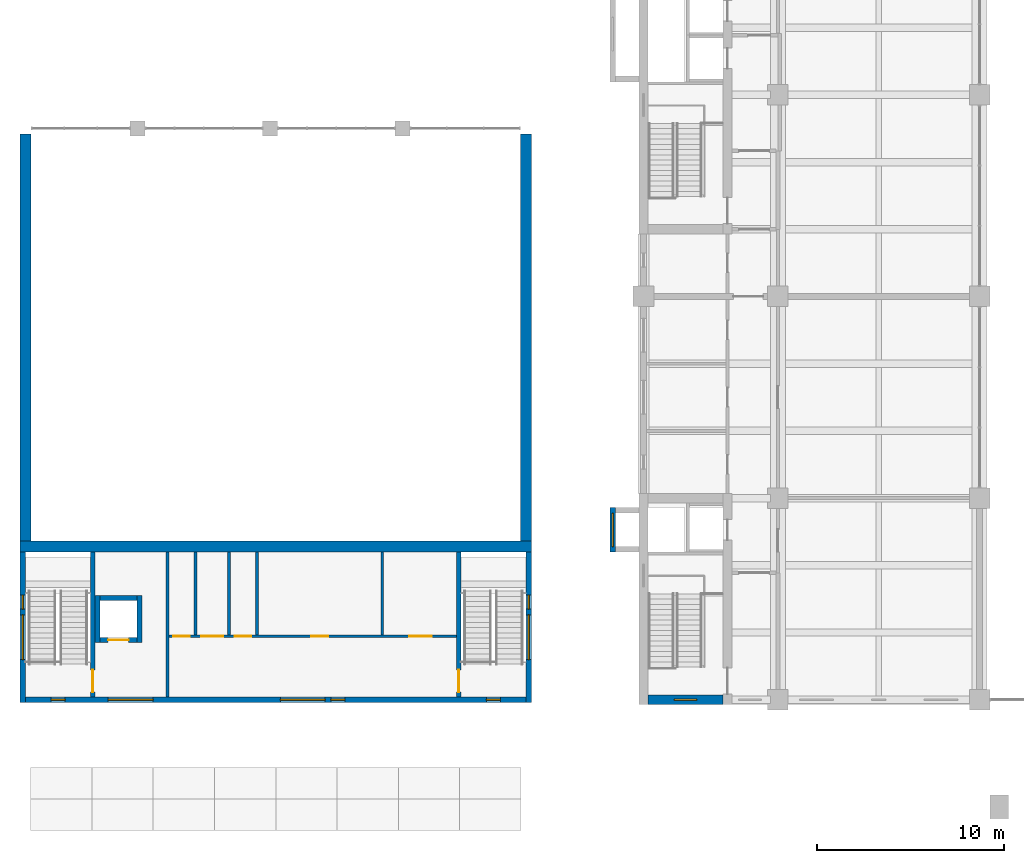
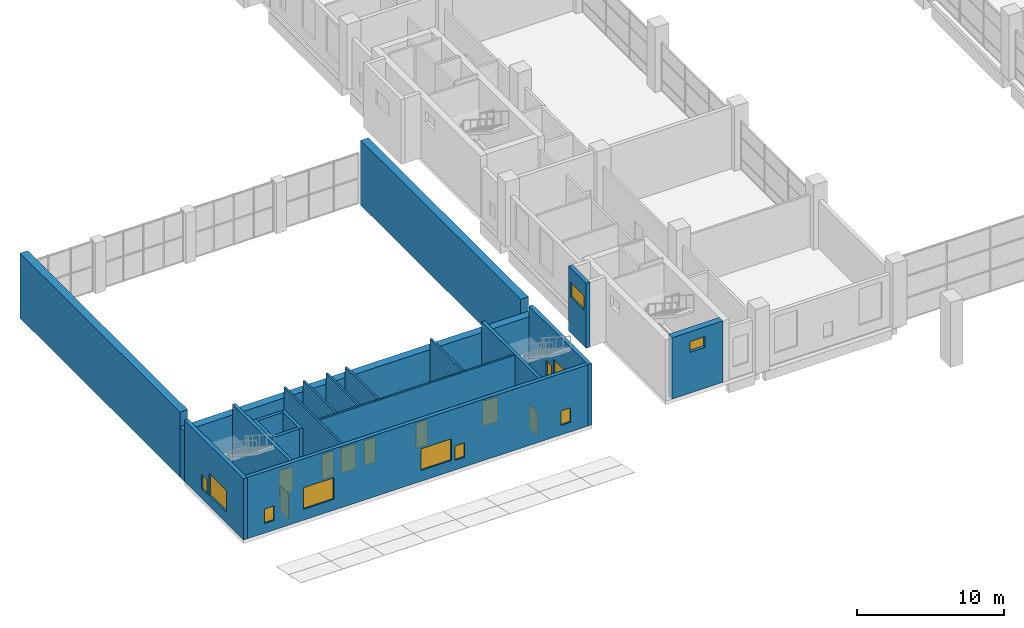
# One storey, part 17 of 33: 20 walls, 11 windows, 8 doors, 19 openings.
"""IFC4 building model written with IfcOpenShell, lengths in metres."""

import ifcopenshell
import ifcopenshell.guid

model = None  # the IFC model being written
_history = None  # IfcOwnerHistory: only IFC2X3 demands one
_inside = {}  # id of a spatial element -> (the spatial element, [elements in it])
_under = {}  # id of a project, library or spatial element -> (it, [spatial elements below it])
_declared = {}  # id of a project -> (the project, [libraries it declares])
_typed = {}  # id of a type object -> (the type object, [elements of that type])
_made_of = {}  # id of a material, layer set ... -> (it, [elements and type objects made of it])


def new_model(schema):
    """Start an empty IFC model of exactly this schema.

    Asked for "IFC4X3", IfcOpenShell would pick the latest addendum, in which some entities
    have other attributes; the version numbers below select the first issue.
    IFC2X3 requires an IfcOwnerHistory on every rooted entity: one is made here for all.
    """
    global model, _history
    if schema == "IFC4X3":
        model = ifcopenshell.file(schema_version=(4, 3, 0, 0))
    else:
        model = ifcopenshell.file(schema=schema)
    _inside.clear()
    _under.clear()
    _declared.clear()
    _typed.clear()
    _made_of.clear()
    _history = None
    if model.schema == "IFC2X3":
        org = make("IfcOrganization", Name="unknown")
        user = make(
            "IfcPersonAndOrganization",
            ThePerson=make("IfcPerson", FamilyName="unknown"),
            TheOrganization=org,
        )
        app = make(
            "IfcApplication",
            ApplicationDeveloper=org,
            Version="unknown",
            ApplicationFullName="unknown",
            ApplicationIdentifier="unknown",
        )
        _history = make(
            "IfcOwnerHistory",
            OwningUser=user,
            OwningApplication=app,
            ChangeAction="ADDED",
            CreationDate=0,
        )
    return model


def make(cls, **values):
    """One entity of the class cls with the attributes given. An attribute that is None is left unset."""
    return model.create_entity(
        cls, **{name: value for name, value in values.items() if value is not None}
    )


def rooted(cls, **values):
    """An entity with a GlobalId (a new one), such as an element, a storey or a relation."""
    return make(cls, GlobalId=ifcopenshell.guid.new(), OwnerHistory=_history, **values)


def si_unit(unit_type, name, prefix=None):
    """IfcSIUnit, for example si_unit("LENGTHUNIT", "METRE", prefix="MILLI")."""
    return make("IfcSIUnit", UnitType=unit_type, Prefix=prefix, Name=name)


def assignment(units):
    """IfcUnitAssignment: the units of a project."""
    return None if units is None else make("IfcUnitAssignment", Units=units)


def point(xyz):
    """IfcCartesianPoint."""
    return None if xyz is None else make("IfcCartesianPoint", Coordinates=xyz)


def direction(xyz):
    """IfcDirection."""
    return None if xyz is None else make("IfcDirection", DirectionRatios=xyz)


def frame(location, z_axis=None, x_axis=None):
    """IfcAxis2Placement3D, a coordinate frame: its origin and axes. An axis left out is left unset."""
    return make(
        "IfcAxis2Placement3D",
        Location=point(location),
        Axis=direction(z_axis),
        RefDirection=direction(x_axis),
    )


def frame_2d(location, x_axis=None):
    """IfcAxis2Placement2D, a coordinate frame in the plane: its origin and x axis."""
    return make(
        "IfcAxis2Placement2D", Location=point(location), RefDirection=direction(x_axis)
    )


def origin():
    """The frame at (0, 0, 0) with its axes left unset."""
    return frame((0.0, 0.0, 0.0))


def place(relative_to, where):
    """IfcLocalPlacement: puts the frame where relative to a parent placement (None: the world)."""
    return make(
        "IfcLocalPlacement", PlacementRelTo=relative_to, RelativePlacement=where
    )


def context(
    kind, dimensions, precision=None, world=None, true_north=None, identifier=None
):
    """IfcGeometricRepresentationContext, for example the 3D "Model" context."""
    return make(
        "IfcGeometricRepresentationContext",
        ContextIdentifier=identifier,
        ContextType=kind,
        CoordinateSpaceDimension=dimensions,
        Precision=precision,
        WorldCoordinateSystem=world,
        TrueNorth=true_north,
    )


def subcontext(parent, identifier, kind, view, scale=None):
    """IfcGeometricRepresentationSubContext, for example "Body" below "Model"."""
    return make(
        "IfcGeometricRepresentationSubContext",
        ContextIdentifier=identifier,
        ContextType=kind,
        ParentContext=parent,
        TargetScale=scale,
        TargetView=view,
    )


def project(units=None, contexts=None):
    """IfcProject with its units and contexts."""
    return rooted(
        "IfcProject",
        Name="project",
        RepresentationContexts=contexts,
        UnitsInContext=assignment(units),
    )


def spatial(cls, under=None, at=None, **own):
    """A site, building, storey or space (cls), placed at a placement, below another one or the project."""
    s = rooted(cls, ObjectPlacement=at, **own)
    if under is not None:
        _under.setdefault(under.id(), (under, []))[1].append(s)
    return s


def profile(cls, at=None, kind="AREA", **sizes):
    """A parametric profile (cls). Its sizes go by their IFC names, for example OverallWidth=200.0."""
    return make(cls, ProfileType=kind, Position=at, **sizes)


def rectangle(**sizes):
    """IfcRectangleProfileDef."""
    return profile("IfcRectangleProfileDef", **sizes)


def extrude(swept, where, along, depth):
    """IfcExtrudedAreaSolid: the profile swept, set in the frame where, extruded along a direction by depth."""
    return make(
        "IfcExtrudedAreaSolid",
        SweptArea=swept,
        Position=where,
        ExtrudedDirection=direction(along),
        Depth=depth,
    )


def shape(context_of_items, identifier, shape_type, items):
    """IfcShapeRepresentation: the items that make up one representation, for example the "Body"."""
    return make(
        "IfcShapeRepresentation",
        ContextOfItems=context_of_items,
        RepresentationIdentifier=identifier,
        RepresentationType=shape_type,
        Items=items,
    )


def material(Name=None, Category=None):
    """IfcMaterial."""
    return make("IfcMaterial", Name=Name, Category=Category)


def layer(
    of_material, thickness, ventilated=None, Name=None, Category=None, Priority=None
):
    """IfcMaterialLayer: one layer of a wall or slab, of a material (None: an air gap)."""
    return make(
        "IfcMaterialLayer",
        Material=of_material,
        LayerThickness=thickness,
        IsVentilated=ventilated,
        Name=Name,
        Category=Category,
        Priority=Priority,
    )


def layer_set(layers, Name=None):
    """IfcMaterialLayerSet."""
    return make("IfcMaterialLayerSet", MaterialLayers=layers, LayerSetName=Name)


def made_of(thing, what):
    """Note that an element or type object is made of a material, layer set ...; save() writes the relation."""
    if what is not None:
        _made_of.setdefault(what.id(), (what, []))[1].append(thing)
    return thing


def type_object(cls, material=None, **own):
    """A type object (cls), such as IfcWallType, which elements share."""
    return made_of(rooted(cls, **own), material)


def element(
    cls,
    number,
    at=None,
    inside=None,
    cuts=None,
    type_object=None,
    material=None,
    context=None,
    identifier="Body",
    shape_type=None,
    held_by="IfcProductDefinitionShape",
    body=None,
    shapes=None,
    **own,
):
    """One element of the class cls, such as IfcWall. Its Tag is "e" and its number.

    at: its placement. inside: the storey or other place that contains it. cuts: it is an
    opening in that element (IfcRelVoidsElement). A single representation is given by context,
    identifier, shape_type and body (its items); several are given by shapes. held_by: the class
    of the entity that holds the representations. save() writes the other relations.
    """
    e = rooted(cls, Tag="e%d" % number, ObjectPlacement=at, **own)
    if body is not None:
        shapes = [shape(context, identifier, shape_type, body)]
    if shapes is not None:
        e.Representation = make(held_by, Representations=shapes)
    if inside is not None:
        _inside.setdefault(inside.id(), (inside, []))[1].append(e)
    if cuts is not None:
        rooted(
            "IfcRelVoidsElement", RelatingBuildingElement=cuts, RelatedOpeningElement=e
        )
    if type_object is not None:
        _typed.setdefault(type_object.id(), (type_object, []))[1].append(e)
    return made_of(e, material)


def fill(opening, filler):
    """IfcRelFillsElement: the door or window that sits in an opening."""
    return rooted(
        "IfcRelFillsElement",
        RelatingOpeningElement=opening,
        RelatedBuildingElement=filler,
    )


def aggregate(whole, parts):
    """IfcRelAggregates: a whole, such as a stair, and the parts it consists of."""
    return rooted("IfcRelAggregates", RelatingObject=whole, RelatedObjects=parts)


def save(model, path):
    """Write the relations noted so far, then the file.

    IfcRelAggregates (storeys below a building ...), IfcRelContainedInSpatialStructure (elements
    in a storey), IfcRelDefinesByType, IfcRelAssociatesMaterial and IfcRelDeclares: one each for
    every whole, place, type object, material and project.
    """
    for whole, parts in _under.values():
        aggregate(whole, parts)
    for where, things in _inside.values():
        rooted(
            "IfcRelContainedInSpatialStructure",
            RelatedElements=things,
            RelatingStructure=where,
        )
    for kind, things in _typed.values():
        rooted("IfcRelDefinesByType", RelatedObjects=things, RelatingType=kind)
    for what, things in _made_of.values():
        rooted("IfcRelAssociatesMaterial", RelatedObjects=things, RelatingMaterial=what)
    for by, libraries in _declared.values():
        rooted("IfcRelDeclares", RelatingContext=by, RelatedDefinitions=libraries)
    model.write(path)


model = new_model("IFC4")

# Units and contexts
model_context = context("Model", 3, precision=1e-05, world=origin(), true_north=direction((0.0, 1.0)))
body_context = subcontext(model_context, "Body", "Model", "MODEL_VIEW")
ifc_project = project(units=[si_unit("LENGTHUNIT", "METRE"), si_unit("AREAUNIT", "SQUARE_METRE"), si_unit("VOLUMEUNIT", "CUBIC_METRE"), si_unit("PLANEANGLEUNIT", "RADIAN"), si_unit("MASSUNIT", "GRAM", prefix="KILO")], contexts=[model_context])

# Site, building, storey
site_placement = place(None, origin())
site = spatial("IfcSite", under=ifc_project, at=site_placement, CompositionType="ELEMENT")
building_placement = place(site_placement, origin())
building = spatial("IfcBuilding", under=site, at=building_placement, Name="Basin Gate Institute", CompositionType="ELEMENT")
storey_placement = place(building_placement, frame((0.0, 0.0, 6.0)))
storey = spatial("IfcBuildingStorey", under=building, at=storey_placement, Name="L01", CompositionType="ELEMENT", Elevation=6.0)

# Wall, opening, door
ifc_material_1 = material(Name="Concrete 40 MPa", Category="concrete")
ifc_layer_1 = layer(ifc_material_1, 0.25)
ifc_layer_set_1 = layer_set([ifc_layer_1], Name="Concrete 40 MPa")
wall_type_1 = type_object("IfcWallType", Name="Block enclosure wall W73 REI 120", PredefinedType="SOLIDWALL", material=ifc_layer_set_1)
wall_1_placement = place(storey_placement, frame((31.699951171875, 35.25, 0.0), z_axis=(0.0, 0.0, 1.0), x_axis=(0.0, 1.0, 0.0)))
wall_1 = element("IfcWall", 1, at=wall_1_placement, inside=storey, type_object=wall_type_1, material=ifc_layer_set_1, Name="Block enclosure wall PW L01", PredefinedType="SOLIDWALL", context=body_context, shape_type="SweptSolid", body=[
    extrude(rectangle(XDim=7.75, YDim=0.25, at=frame_2d((3.875, 0.0))), origin(), (0.0, 0.0, 1.0), 5.10009765625),
])
opening_1_placement = place(wall_1_placement, frame((0.25, 0.0, 0.0)))
opening_1 = element("IfcOpeningElement", 2, at=opening_1_placement, cuts=wall_1, Name="Opening D925", PredefinedType="OPENING", context=body_context, shape_type="SweptSolid", body=[
    extrude(rectangle(XDim=1.199951171875, YDim=2.10009765625, at=frame_2d((0.60009765625, 1.050048828125))), frame((0.0, 0.135009765625, 0.0), z_axis=(0.0, -1.0, 0.0), x_axis=(1.0, 0.0, 0.0)), (0.0, 0.0, 1.0), 0.27001953125),
])
ifc_material_2 = material(Name="Steel fire door leaf", Category="steel")
door_type_1 = type_object("IfcDoorType", Name="FD60 door 1200 single swing", OperationType="NOTDEFINED", PredefinedType="DOOR", material=ifc_material_2)
door_1_placement = place(opening_1_placement, origin())
door_1 = element("IfcDoor", 3, at=door_1_placement, inside=storey, type_object=door_type_1, material=ifc_material_2, Name="Stair door ST-T2", OperationType="SINGLE_SWING_LEFT", OverallHeight=2.10009765625, OverallWidth=1.199951171875, PredefinedType="DOOR", context=body_context, shape_type="SweptSolid", body=[
    extrude(rectangle(XDim=1.199951171875, YDim=2.10009765625, at=frame_2d((0.60009765625, 1.050048828125))), frame((0.0, 0.02490234375, 0.0), z_axis=(0.0, -1.0, 0.0), x_axis=(1.0, 0.0, 0.0)), (0.0, 0.0, 1.0), 0.050048828125),
])
fill(opening_1, door_1)

wall_2_placement = place(storey_placement, frame((51.300048828125, 35.25, 0.0), z_axis=(0.0, 0.0, 1.0), x_axis=(0.0, 1.0, 0.0)))
wall_2 = element("IfcWall", 4, at=wall_2_placement, inside=storey, type_object=wall_type_1, material=ifc_layer_set_1, Name="Block enclosure wall PE L01", PredefinedType="SOLIDWALL", context=body_context, shape_type="SweptSolid", body=[
    extrude(rectangle(XDim=7.75, YDim=0.25, at=frame_2d((3.875, 0.0))), origin(), (0.0, 0.0, 1.0), 5.10009765625),
])
opening_2_placement = place(wall_2_placement, frame((0.25, 0.0, 0.0)))
opening_2 = element("IfcOpeningElement", 5, at=opening_2_placement, cuts=wall_2, Name="Opening D926", PredefinedType="OPENING", context=body_context, shape_type="SweptSolid", body=[
    extrude(rectangle(XDim=1.199951171875, YDim=2.10009765625, at=frame_2d((0.60009765625, 1.050048828125))), frame((0.0, 0.135009765625, 0.0), z_axis=(0.0, -1.0, 0.0), x_axis=(1.0, 0.0, 0.0)), (0.0, 0.0, 1.0), 0.27001953125),
])
door_2_placement = place(opening_2_placement, frame((1.199951171875, 0.0, 0.0), z_axis=(0.0, 0.0, 1.0), x_axis=(-1.0, 0.0, 0.0)))
door_2 = element("IfcDoor", 6, at=door_2_placement, inside=storey, type_object=door_type_1, material=ifc_material_2, Name="Stair door ST-T4", OperationType="SINGLE_SWING_RIGHT", OverallHeight=2.10009765625, OverallWidth=1.199951171875, PredefinedType="DOOR", context=body_context, shape_type="SweptSolid", body=[
    extrude(rectangle(XDim=1.199951171875, YDim=2.10009765625, at=frame_2d((0.60009765625, 1.050048828125))), frame((0.0, 0.02490234375, 0.0), z_axis=(0.0, -1.0, 0.0), x_axis=(1.0, 0.0, 0.0)), (0.0, 0.0, 1.0), 0.050048828125),
])
fill(opening_2, door_2)

# Wall, openings, windows
ifc_material_3 = material(Name="Concrete 40 MPa", Category="concrete")
ifc_layer_2 = layer(ifc_material_3, 0.300048828125)
ifc_layer_set_2 = layer_set([ifc_layer_2], Name="Concrete 40 MPa")
wall_type_2 = type_object("IfcWallType", Name="Block external wall W71 REI 180", PredefinedType="SOLIDWALL", material=ifc_layer_set_2)
wall_3_placement = place(storey_placement, frame((27.949951171875, 34.949951171875, 0.0), z_axis=(0.0, 0.0, 1.0), x_axis=(0.0, 1.0, 0.0)))
wall_3 = element("IfcWall", 7, at=wall_3_placement, inside=storey, type_object=wall_type_2, material=ifc_layer_set_2, Name="Block external wall R180 SE0 L01", PredefinedType="SOLIDWALL", context=body_context, shape_type="SweptSolid", body=[
    extrude(rectangle(XDim=8.050048828125, YDim=0.300048828125, at=frame_2d((4.02490234375, 0.0))), origin(), (0.0, 0.0, 1.0), 5.10009765625),
])
opening_3_placement = place(wall_3_placement, frame((2.300048828125, 0.0, 0.89990234375)))
opening_3 = element("IfcOpeningElement", 8, at=opening_3_placement, cuts=wall_3, Name="Opening WN905", PredefinedType="OPENING", context=body_context, shape_type="SweptSolid", body=[
    extrude(rectangle(XDim=2.39990234375, YDim=1.800048828125, at=frame_2d((1.199951171875, 0.89990234375))), frame((0.0, 0.16015625, 0.0), z_axis=(0.0, -1.0, 0.0), x_axis=(1.0, 0.0, 0.0)), (0.0, 0.0, 1.0), 0.320068359375),
])
opening_4_placement = place(wall_3_placement, frame((5.0, 0.0, 0.800048828125)))
opening_4 = element("IfcOpeningElement", 9, at=opening_4_placement, cuts=wall_3, Name="Opening WN906", PredefinedType="OPENING", context=body_context, shape_type="SweptSolid", body=[
    extrude(rectangle(XDim=0.75, YDim=1.199951171875, at=frame_2d((0.375, 0.60009765625))), frame((0.0, 0.16015625, 0.0), z_axis=(0.0, -1.0, 0.0), x_axis=(1.0, 0.0, 0.0)), (0.0, 0.0, 1.0), 0.320068359375),
])
ifc_material_4 = material(Name="Aluminium frame with toughened glass", Category="aluminium")
window_type_1 = type_object("IfcWindowType", Name="Block emergency entry panel 750x1200", PartitioningType="SINGLE_PANEL", PredefinedType="WINDOW", material=ifc_material_4)
window_1_placement = place(opening_4_placement, origin())
window_1 = element("IfcWindow", 10, at=window_1_placement, inside=storey, type_object=window_type_1, material=ifc_material_4, Name="Theatre emergency entry panel", OverallHeight=1.199951171875, OverallWidth=0.75, PartitioningType="SINGLE_PANEL", PredefinedType="WINDOW", context=body_context, shape_type="SweptSolid", body=[
    extrude(rectangle(XDim=0.75, YDim=1.199951171875, at=frame_2d((0.375, 0.60009765625))), frame((0.0, 0.030029296875, 0.0), z_axis=(0.0, -1.0, 0.0), x_axis=(1.0, 0.0, 0.0)), (0.0, 0.0, 1.0), 0.06005859375),
])
fill(opening_4, window_1)
ifc_material_5 = material(Name="Aluminium frame with double glazing", Category="aluminium")
window_type_2 = type_object("IfcWindowType", Name="Block window 2400x1800", PartitioningType="DOUBLE_PANEL_VERTICAL", PredefinedType="WINDOW", material=ifc_material_5)
window_2_placement = place(opening_3_placement, origin())
window_2 = element("IfcWindow", 11, at=window_2_placement, inside=storey, type_object=window_type_2, material=ifc_material_5, Name="Theatre window", OverallHeight=1.800048828125, OverallWidth=2.39990234375, PartitioningType="SINGLE_PANEL", PredefinedType="WINDOW", context=body_context, shape_type="SweptSolid", body=[
    extrude(rectangle(XDim=2.39990234375, YDim=1.800048828125, at=frame_2d((1.199951171875, 0.89990234375))), frame((0.0, 0.030029296875, 0.0), z_axis=(0.0, -1.0, 0.0), x_axis=(1.0, 0.0, 0.0)), (0.0, 0.0, 1.0), 0.06005859375),
])
fill(opening_3, window_2)

wall_4_placement = place(storey_placement, frame((55.050048828125, 34.949951171875, 0.0), z_axis=(0.0, 0.0, 1.0), x_axis=(0.0, 1.0, 0.0)))
wall_4 = element("IfcWall", 12, at=wall_4_placement, inside=storey, type_object=wall_type_2, material=ifc_layer_set_2, Name="Block external wall R180 SE1 L01", PredefinedType="SOLIDWALL", context=body_context, shape_type="SweptSolid", body=[
    extrude(rectangle(XDim=8.050048828125, YDim=0.300048828125, at=frame_2d((4.02490234375, 0.0))), origin(), (0.0, 0.0, 1.0), 5.10009765625),
])
opening_5_placement = place(wall_4_placement, frame((2.300048828125, 0.0, 0.89990234375)))
opening_5 = element("IfcOpeningElement", 13, at=opening_5_placement, cuts=wall_4, Name="Opening WN907", PredefinedType="OPENING", context=body_context, shape_type="SweptSolid", body=[
    extrude(rectangle(XDim=2.39990234375, YDim=1.800048828125, at=frame_2d((1.199951171875, 0.89990234375))), frame((0.0, 0.16015625, 0.0), z_axis=(0.0, -1.0, 0.0), x_axis=(1.0, 0.0, 0.0)), (0.0, 0.0, 1.0), 0.320068359375),
])
opening_6_placement = place(wall_4_placement, frame((5.0, 0.0, 0.800048828125)))
opening_6 = element("IfcOpeningElement", 14, at=opening_6_placement, cuts=wall_4, Name="Opening WN908", PredefinedType="OPENING", context=body_context, shape_type="SweptSolid", body=[
    extrude(rectangle(XDim=0.75, YDim=1.199951171875, at=frame_2d((0.375, 0.60009765625))), frame((0.0, 0.16015625, 0.0), z_axis=(0.0, -1.0, 0.0), x_axis=(1.0, 0.0, 0.0)), (0.0, 0.0, 1.0), 0.320068359375),
])
window_3_placement = place(opening_6_placement, origin())
window_3 = element("IfcWindow", 15, at=window_3_placement, inside=storey, type_object=window_type_1, material=ifc_material_4, Name="Theatre emergency entry panel", OverallHeight=1.199951171875, OverallWidth=0.75, PartitioningType="SINGLE_PANEL", PredefinedType="WINDOW", context=body_context, shape_type="SweptSolid", body=[
    extrude(rectangle(XDim=0.75, YDim=1.199951171875, at=frame_2d((0.375, 0.60009765625))), frame((0.0, 0.030029296875, 0.0), z_axis=(0.0, -1.0, 0.0), x_axis=(1.0, 0.0, 0.0)), (0.0, 0.0, 1.0), 0.06005859375),
])
fill(opening_6, window_3)
window_4_placement = place(opening_5_placement, origin())
window_4 = element("IfcWindow", 16, at=window_4_placement, inside=storey, type_object=window_type_2, material=ifc_material_5, Name="Theatre window", OverallHeight=1.800048828125, OverallWidth=2.39990234375, PartitioningType="SINGLE_PANEL", PredefinedType="WINDOW", context=body_context, shape_type="SweptSolid", body=[
    extrude(rectangle(XDim=2.39990234375, YDim=1.800048828125, at=frame_2d((1.199951171875, 0.89990234375))), frame((0.0, 0.030029296875, 0.0), z_axis=(0.0, -1.0, 0.0), x_axis=(1.0, 0.0, 0.0)), (0.0, 0.0, 1.0), 0.06005859375),
])
fill(opening_5, window_4)

wall_5_placement = place(storey_placement, frame((28.10009765625, 35.10009765625, 0.0), z_axis=(0.0, 0.0, 1.0), x_axis=(1.0, 0.0, 0.0)))
wall_5 = element("IfcWall", 17, at=wall_5_placement, inside=storey, type_object=wall_type_2, material=ifc_layer_set_2, Name="Block external wall R180 SF L01", PredefinedType="SOLIDWALL", context=body_context, shape_type="SweptSolid", body=[
    extrude(rectangle(XDim=26.7998046875, YDim=0.300048828125, at=frame_2d((13.39990234375, 0.0))), origin(), (0.0, 0.0, 1.0), 5.10009765625),
])
opening_7_placement = place(wall_5_placement, frame((1.362548828125, 0.0, 0.800048828125)))
opening_7 = element("IfcOpeningElement", 18, at=opening_7_placement, cuts=wall_5, Name="Opening WN909", PredefinedType="OPENING", context=body_context, shape_type="SweptSolid", body=[
    extrude(rectangle(XDim=0.75, YDim=1.199951171875, at=frame_2d((0.375, 0.60009765625))), frame((0.0, 0.16015625, 0.0), z_axis=(0.0, -1.0, 0.0), x_axis=(1.0, 0.0, 0.0)), (0.0, 0.0, 1.0), 0.320068359375),
])
opening_8_placement = place(wall_5_placement, frame((4.425048828125, 0.0, 0.89990234375)))
opening_8 = element("IfcOpeningElement", 19, at=opening_8_placement, cuts=wall_5, Name="Opening WN910", PredefinedType="OPENING", context=body_context, shape_type="SweptSolid", body=[
    extrude(rectangle(XDim=2.39990234375, YDim=1.800048828125, at=frame_2d((1.199951171875, 0.89990234375))), frame((0.0, 0.16015625, 0.0), z_axis=(0.0, -1.0, 0.0), x_axis=(1.0, 0.0, 0.0)), (0.0, 0.0, 1.0), 0.320068359375),
])
opening_9_placement = place(wall_5_placement, frame((13.64990234375, 0.0, 0.89990234375)))
opening_9 = element("IfcOpeningElement", 20, at=opening_9_placement, cuts=wall_5, Name="Opening WN911", PredefinedType="OPENING", context=body_context, shape_type="SweptSolid", body=[
    extrude(rectangle(XDim=2.39990234375, YDim=1.800048828125, at=frame_2d((1.199951171875, 0.89990234375))), frame((0.0, 0.16015625, 0.0), z_axis=(0.0, -1.0, 0.0), x_axis=(1.0, 0.0, 0.0)), (0.0, 0.0, 1.0), 0.320068359375),
])
opening_10_placement = place(wall_5_placement, frame((16.35009765625, 0.0, 0.800048828125)))
opening_10 = element("IfcOpeningElement", 21, at=opening_10_placement, cuts=wall_5, Name="Opening WN912", PredefinedType="OPENING", context=body_context, shape_type="SweptSolid", body=[
    extrude(rectangle(XDim=0.75, YDim=1.199951171875, at=frame_2d((0.375, 0.60009765625))), frame((0.0, 0.16015625, 0.0), z_axis=(0.0, -1.0, 0.0), x_axis=(1.0, 0.0, 0.0)), (0.0, 0.0, 1.0), 0.320068359375),
])
opening_11_placement = place(wall_5_placement, frame((24.6875, 0.0, 0.800048828125)))
opening_11 = element("IfcOpeningElement", 22, at=opening_11_placement, cuts=wall_5, Name="Opening WN913", PredefinedType="OPENING", context=body_context, shape_type="SweptSolid", body=[
    extrude(rectangle(XDim=0.75, YDim=1.199951171875, at=frame_2d((0.375, 0.60009765625))), frame((0.0, 0.16015625, 0.0), z_axis=(0.0, -1.0, 0.0), x_axis=(1.0, 0.0, 0.0)), (0.0, 0.0, 1.0), 0.320068359375),
])
window_5_placement = place(opening_7_placement, origin())
window_5 = element("IfcWindow", 23, at=window_5_placement, inside=storey, type_object=window_type_1, material=ifc_material_4, Name="Theatre emergency entry panel", OverallHeight=1.199951171875, OverallWidth=0.75, PartitioningType="SINGLE_PANEL", PredefinedType="WINDOW", context=body_context, shape_type="SweptSolid", body=[
    extrude(rectangle(XDim=0.75, YDim=1.199951171875, at=frame_2d((0.375, 0.60009765625))), frame((0.0, 0.030029296875, 0.0), z_axis=(0.0, -1.0, 0.0), x_axis=(1.0, 0.0, 0.0)), (0.0, 0.0, 1.0), 0.06005859375),
])
fill(opening_7, window_5)
window_6_placement = place(opening_10_placement, origin())
window_6 = element("IfcWindow", 24, at=window_6_placement, inside=storey, type_object=window_type_1, material=ifc_material_4, Name="Theatre emergency entry panel", OverallHeight=1.199951171875, OverallWidth=0.75, PartitioningType="SINGLE_PANEL", PredefinedType="WINDOW", context=body_context, shape_type="SweptSolid", body=[
    extrude(rectangle(XDim=0.75, YDim=1.199951171875, at=frame_2d((0.375, 0.60009765625))), frame((0.0, 0.030029296875, 0.0), z_axis=(0.0, -1.0, 0.0), x_axis=(1.0, 0.0, 0.0)), (0.0, 0.0, 1.0), 0.06005859375),
])
fill(opening_10, window_6)
window_7_placement = place(opening_11_placement, origin())
window_7 = element("IfcWindow", 25, at=window_7_placement, inside=storey, type_object=window_type_1, material=ifc_material_4, Name="Theatre emergency entry panel", OverallHeight=1.199951171875, OverallWidth=0.75, PartitioningType="SINGLE_PANEL", PredefinedType="WINDOW", context=body_context, shape_type="SweptSolid", body=[
    extrude(rectangle(XDim=0.75, YDim=1.199951171875, at=frame_2d((0.375, 0.60009765625))), frame((0.0, 0.030029296875, 0.0), z_axis=(0.0, -1.0, 0.0), x_axis=(1.0, 0.0, 0.0)), (0.0, 0.0, 1.0), 0.06005859375),
])
fill(opening_11, window_7)
window_8_placement = place(opening_8_placement, origin())
window_8 = element("IfcWindow", 26, at=window_8_placement, inside=storey, type_object=window_type_2, material=ifc_material_5, Name="Theatre window", OverallHeight=1.800048828125, OverallWidth=2.39990234375, PartitioningType="SINGLE_PANEL", PredefinedType="WINDOW", context=body_context, shape_type="SweptSolid", body=[
    extrude(rectangle(XDim=2.39990234375, YDim=1.800048828125, at=frame_2d((1.199951171875, 0.89990234375))), frame((0.0, 0.030029296875, 0.0), z_axis=(0.0, -1.0, 0.0), x_axis=(1.0, 0.0, 0.0)), (0.0, 0.0, 1.0), 0.06005859375),
])
fill(opening_8, window_8)
window_9_placement = place(opening_9_placement, origin())
window_9 = element("IfcWindow", 27, at=window_9_placement, inside=storey, type_object=window_type_2, material=ifc_material_5, Name="Theatre window", OverallHeight=1.800048828125, OverallWidth=2.39990234375, PartitioningType="SINGLE_PANEL", PredefinedType="WINDOW", context=body_context, shape_type="SweptSolid", body=[
    extrude(rectangle(XDim=2.39990234375, YDim=1.800048828125, at=frame_2d((1.199951171875, 0.89990234375))), frame((0.0, 0.030029296875, 0.0), z_axis=(0.0, -1.0, 0.0), x_axis=(1.0, 0.0, 0.0)), (0.0, 0.0, 1.0), 0.06005859375),
])
fill(opening_9, window_9)

# Walls
ifc_material_6 = material(Name="Gypsum board partition on steel studs", Category="steel")
ifc_layer_3 = layer(ifc_material_6, 0.14990234375)
ifc_layer_set_3 = layer_set([ifc_layer_3], Name="Gypsum board partition on steel studs")
wall_type_3 = type_object("IfcWallType", Name="Block partition PW71 unrated", PredefinedType="SOLIDWALL", material=ifc_layer_set_3)
wall_6_placement = place(storey_placement, frame((35.699951171875, 35.25, 0.0), z_axis=(0.0, 0.0, 1.0), x_axis=(0.0, 1.0, 0.0)))
element("IfcWall", 28, at=wall_6_placement, inside=storey, type_object=wall_type_3, material=ifc_layer_set_3, Name="Block partition PL L01", PredefinedType="SOLIDWALL", context=body_context, shape_type="SweptSolid", body=[
    extrude(rectangle(XDim=7.75, YDim=0.14990234375, at=frame_2d((3.875, 0.0))), origin(), (0.0, 0.0, 1.0), 5.10009765625),
])
for number, where, z_axis, x_axis, name in (
    (29, (37.199951171875, 38.574951171875, 0.0), (0.0, 0.0, 1.0), (0.0, 1.0, 0.0), "Block partition RW0 L01"),
    (30, (39.0, 38.574951171875, 0.0), (0.0, 0.0, 1.0), (0.0, 1.0, 0.0), "Block partition RW1 L01"),
    (31, (40.5, 38.574951171875, 0.0), (0.0, 0.0, 1.0), (0.0, 1.0, 0.0), "Block partition RW2 L01"),
    (32, (47.199951171875, 38.574951171875, 0.0), (0.0, 0.0, 1.0), (0.0, 1.0, 0.0), "Block partition RW3 L01"),
):
    element("IfcWall", number, at=place(storey_placement, frame(where, z_axis=z_axis, x_axis=x_axis)), inside=storey, type_object=wall_type_3, material=ifc_layer_set_3, Name=name, PredefinedType="SOLIDWALL", context=body_context, shape_type="SweptSolid", body=[
        extrude(rectangle(XDim=4.425048828125, YDim=0.14990234375, at=frame_2d((2.21240234375, 0.0))), origin(), (0.0, 0.0, 1.0), 5.10009765625),
    ])

# Wall, openings, doors
ifc_material_7 = material(Name="Gypsum board partition on steel studs, 60 minute", Category="steel")
ifc_layer_4 = layer(ifc_material_7, 0.14990234375)
ifc_layer_set_4 = layer_set([ifc_layer_4], Name="Gypsum board partition on steel studs, 60 minute")
wall_type_4 = type_object("IfcWallType", Name="Block partition PW72 EI 60", PredefinedType="SOLIDWALL", material=ifc_layer_set_4)
wall_7_placement = place(storey_placement, frame((35.77490234375, 38.5, 0.0), z_axis=(0.0, 0.0, 1.0), x_axis=(1.0, 0.0, 0.0)))
wall_7 = element("IfcWall", 33, at=wall_7_placement, inside=storey, type_object=wall_type_4, material=ifc_layer_set_4, Name="Block partition PC L01", PredefinedType="SOLIDWALL", context=body_context, shape_type="SweptSolid", body=[
    extrude(rectangle(XDim=15.400146484375, YDim=0.14990234375, at=frame_2d((7.7001953125, 0.0))), origin(), (0.0, 0.0, 1.0), 5.10009765625),
])
opening_12_placement = place(wall_7_placement, frame((0.22509765625, 0.0, 0.0)))
opening_12 = element("IfcOpeningElement", 34, at=opening_12_placement, cuts=wall_7, Name="Opening D927", PredefinedType="OPENING", context=body_context, shape_type="SweptSolid", body=[
    extrude(rectangle(XDim=0.89990234375, YDim=2.10009765625, at=frame_2d((0.449951171875, 1.050048828125))), frame((0.0, 0.0849609375, 0.0), z_axis=(0.0, -1.0, 0.0), x_axis=(1.0, 0.0, 0.0)), (0.0, 0.0, 1.0), 0.169921875),
])
opening_13_placement = place(wall_7_placement, frame((1.72509765625, 0.0, 0.0)))
opening_13 = element("IfcOpeningElement", 35, at=opening_13_placement, cuts=wall_7, Name="Opening D928", PredefinedType="OPENING", context=body_context, shape_type="SweptSolid", body=[
    extrude(rectangle(XDim=1.199951171875, YDim=2.10009765625, at=frame_2d((0.60009765625, 1.050048828125))), frame((0.0, 0.0849609375, 0.0), z_axis=(0.0, -1.0, 0.0), x_axis=(1.0, 0.0, 0.0)), (0.0, 0.0, 1.0), 0.169921875),
])
opening_14_placement = place(wall_7_placement, frame((3.52490234375, 0.0, 0.0)))
opening_14 = element("IfcOpeningElement", 36, at=opening_14_placement, cuts=wall_7, Name="Opening D929", PredefinedType="OPENING", context=body_context, shape_type="SweptSolid", body=[
    extrude(rectangle(XDim=0.89990234375, YDim=2.10009765625, at=frame_2d((0.449951171875, 1.050048828125))), frame((0.0, 0.0849609375, 0.0), z_axis=(0.0, -1.0, 0.0), x_axis=(1.0, 0.0, 0.0)), (0.0, 0.0, 1.0), 0.169921875),
])
opening_15_placement = place(wall_7_placement, frame((7.625, 0.0, 0.0)))
opening_15 = element("IfcOpeningElement", 37, at=opening_15_placement, cuts=wall_7, Name="Opening D930", PredefinedType="OPENING", context=body_context, shape_type="SweptSolid", body=[
    extrude(rectangle(XDim=0.89990234375, YDim=2.10009765625, at=frame_2d((0.449951171875, 1.050048828125))), frame((0.0, 0.0849609375, 0.0), z_axis=(0.0, -1.0, 0.0), x_axis=(1.0, 0.0, 0.0)), (0.0, 0.0, 1.0), 0.169921875),
])
opening_16_placement = place(wall_7_placement, frame((12.875, 0.0, 0.0)))
opening_16 = element("IfcOpeningElement", 38, at=opening_16_placement, cuts=wall_7, Name="Opening D931", PredefinedType="OPENING", context=body_context, shape_type="SweptSolid", body=[
    extrude(rectangle(XDim=1.199951171875, YDim=2.10009765625, at=frame_2d((0.60009765625, 1.050048828125))), frame((0.0, 0.0849609375, 0.0), z_axis=(0.0, -1.0, 0.0), x_axis=(1.0, 0.0, 0.0)), (0.0, 0.0, 1.0), 0.169921875),
])
ifc_material_8 = material(Name="Timber door leaf in steel frame", Category="steel")
door_type_2 = type_object("IfcDoorType", Name="Block door 1200 single swing", OperationType="NOTDEFINED", PredefinedType="DOOR", material=ifc_material_8)
door_3_placement = place(opening_13_placement, origin())
door_3 = element("IfcDoor", 39, at=door_3_placement, inside=storey, type_object=door_type_2, material=ifc_material_8, Name="Accessible WC door L01", OperationType="SINGLE_SWING_LEFT", OverallHeight=2.10009765625, OverallWidth=1.199951171875, PredefinedType="DOOR", context=body_context, shape_type="SweptSolid", body=[
    extrude(rectangle(XDim=1.199951171875, YDim=2.10009765625, at=frame_2d((0.60009765625, 1.050048828125))), frame((0.0, 0.02490234375, 0.0), z_axis=(0.0, -1.0, 0.0), x_axis=(1.0, 0.0, 0.0)), (0.0, 0.0, 1.0), 0.050048828125),
])
fill(opening_13, door_3)
ifc_material_9 = material(Name="Timber door leaf in steel frame", Category="steel")
door_type_3 = type_object("IfcDoorType", Name="Block door 900 single swing", OperationType="NOTDEFINED", PredefinedType="DOOR", material=ifc_material_9)
door_4_placement = place(opening_12_placement, origin())
door_4 = element("IfcDoor", 40, at=door_4_placement, inside=storey, type_object=door_type_3, material=ifc_material_9, Name="Male WC door L01", OperationType="SINGLE_SWING_LEFT", OverallHeight=2.10009765625, OverallWidth=0.89990234375, PredefinedType="DOOR", context=body_context, shape_type="SweptSolid", body=[
    extrude(rectangle(XDim=0.89990234375, YDim=2.10009765625, at=frame_2d((0.449951171875, 1.050048828125))), frame((0.0, 0.02490234375, 0.0), z_axis=(0.0, -1.0, 0.0), x_axis=(1.0, 0.0, 0.0)), (0.0, 0.0, 1.0), 0.050048828125),
])
fill(opening_12, door_4)
door_5_placement = place(opening_14_placement, origin())
door_5 = element("IfcDoor", 41, at=door_5_placement, inside=storey, type_object=door_type_3, material=ifc_material_9, Name="Female WC door L01", OperationType="SINGLE_SWING_LEFT", OverallHeight=2.10009765625, OverallWidth=0.89990234375, PredefinedType="DOOR", context=body_context, shape_type="SweptSolid", body=[
    extrude(rectangle(XDim=0.89990234375, YDim=2.10009765625, at=frame_2d((0.449951171875, 1.050048828125))), frame((0.0, 0.02490234375, 0.0), z_axis=(0.0, -1.0, 0.0), x_axis=(1.0, 0.0, 0.0)), (0.0, 0.0, 1.0), 0.050048828125),
])
fill(opening_14, door_5)
door_6_placement = place(opening_15_placement, origin())
door_6 = element("IfcDoor", 42, at=door_6_placement, inside=storey, type_object=door_type_3, material=ifc_material_9, Name="Seminar Room door L01", OperationType="SINGLE_SWING_LEFT", OverallHeight=2.10009765625, OverallWidth=0.89990234375, PredefinedType="DOOR", context=body_context, shape_type="SweptSolid", body=[
    extrude(rectangle(XDim=0.89990234375, YDim=2.10009765625, at=frame_2d((0.449951171875, 1.050048828125))), frame((0.0, 0.02490234375, 0.0), z_axis=(0.0, -1.0, 0.0), x_axis=(1.0, 0.0, 0.0)), (0.0, 0.0, 1.0), 0.050048828125),
])
fill(opening_15, door_6)
door_7_placement = place(opening_16_placement, origin())
door_7 = element("IfcDoor", 43, at=door_7_placement, inside=storey, type_object=door_type_1, material=ifc_material_2, Name="Air Handling Plant Room door L01", OperationType="SINGLE_SWING_RIGHT", OverallHeight=2.10009765625, OverallWidth=1.199951171875, PredefinedType="DOOR", context=body_context, shape_type="SweptSolid", body=[
    extrude(rectangle(XDim=1.199951171875, YDim=2.10009765625, at=frame_2d((0.60009765625, 1.050048828125))), frame((0.0, 0.02490234375, 0.0), z_axis=(0.0, -1.0, 0.0), x_axis=(1.0, 0.0, 0.0)), (0.0, 0.0, 1.0), 0.050048828125),
])
fill(opening_16, door_7)

# Wall, opening, door
ifc_material_10 = material(Name="Concrete 40 MPa", Category="concrete")
ifc_layer_5 = layer(ifc_material_10, 0.25)
ifc_layer_set_5 = layer_set([ifc_layer_5], Name="Concrete 40 MPa")
wall_type_5 = type_object("IfcWallType", Name="Lift shaft enclosure wall W76 EI 120", PredefinedType="SOLIDWALL", material=ifc_layer_set_5)
wall_8_placement = place(storey_placement, frame((32.074951171875, 38.300048828125, 0.0), z_axis=(0.0, 0.0, 1.0), x_axis=(1.0, 0.0, 0.0)))
wall_8 = element("IfcWall", 44, at=wall_8_placement, inside=storey, type_object=wall_type_5, material=ifc_layer_set_5, Name="Lift shaft enclosure LP7 S L01", PredefinedType="SOLIDWALL", context=body_context, shape_type="SweptSolid", body=[
    extrude(rectangle(XDim=2.0, YDim=0.25, at=frame_2d((1.0, 0.0))), origin(), (0.0, 0.0, 1.0), 5.10009765625),
])
opening_17_placement = place(wall_8_placement, frame((0.449951171875, 0.0, 0.0)))
opening_17 = element("IfcOpeningElement", 45, at=opening_17_placement, cuts=wall_8, Name="Opening LW22", PredefinedType="OPENING", context=body_context, shape_type="SweptSolid", body=[
    extrude(rectangle(XDim=1.10009765625, YDim=2.10009765625, at=frame_2d((0.550048828125, 1.050048828125))), frame((0.0, 0.135009765625, 0.0), z_axis=(0.0, -1.0, 0.0), x_axis=(1.0, 0.0, 0.0)), (0.0, 0.0, 1.0), 0.27001953125),
])
ifc_material_11 = material(Name="Stainless steel", Category="steel")
door_type_4 = type_object("IfcDoorType", Name="FD60 Lift landing door LD", OperationType="SLIDING_TO_LEFT", PredefinedType="DOOR", material=ifc_material_11)
door_8_placement = place(opening_17_placement, origin())
door_8 = element("IfcDoor", 46, at=door_8_placement, inside=storey, type_object=door_type_4, material=ifc_material_11, Name="Lift landing door LP7 L01", OperationType="SLIDING_TO_LEFT", OverallHeight=2.10009765625, OverallWidth=1.10009765625, PredefinedType="DOOR", context=body_context, shape_type="SweptSolid", body=[
    extrude(rectangle(XDim=1.10009765625, YDim=2.10009765625, at=frame_2d((0.550048828125, 1.050048828125))), frame((0.0, 0.02490234375, 0.0), z_axis=(0.0, -1.0, 0.0), x_axis=(1.0, 0.0, 0.0)), (0.0, 0.0, 1.0), 0.050048828125),
])
fill(opening_17, door_8)

# Walls
wall_9_placement = place(storey_placement, frame((32.074951171875, 40.550048828125, 0.0), z_axis=(0.0, 0.0, 1.0), x_axis=(1.0, 0.0, 0.0)))
element("IfcWall", 47, at=wall_9_placement, inside=storey, type_object=wall_type_5, material=ifc_layer_set_5, Name="Lift shaft enclosure LP7 N L01", PredefinedType="SOLIDWALL", context=body_context, shape_type="SweptSolid", body=[
    extrude(rectangle(XDim=2.0, YDim=0.25, at=frame_2d((1.0, 0.0))), origin(), (0.0, 0.0, 1.0), 5.10009765625),
])
for number, where, z_axis, x_axis, name in (
    (48, (31.949951171875, 38.175048828125, 0.0), (0.0, 0.0, 1.0), (0.0, 1.0, 0.0), "Lift shaft enclosure LP7 W L01"),
    (49, (34.199951171875, 38.175048828125, 0.0), (0.0, 0.0, 1.0), (0.0, 1.0, 0.0), "Lift shaft enclosure LP7 E L01"),
):
    element("IfcWall", number, at=place(storey_placement, frame(where, z_axis=z_axis, x_axis=x_axis)), inside=storey, type_object=wall_type_5, material=ifc_layer_set_5, Name=name, PredefinedType="SOLIDWALL", context=body_context, shape_type="SweptSolid", body=[
        extrude(rectangle(XDim=2.5, YDim=0.25, at=frame_2d((1.25, 0.0))), origin(), (0.0, 0.0, 1.0), 5.10009765625),
    ])
ifc_material_12 = material(Name="Concrete 50 MPa", Category="concrete")
ifc_layer_6 = layer(ifc_material_12, 0.60009765625)
ifc_layer_set_6 = layer_set([ifc_layer_6], Name="Concrete 50 MPa")
wall_type_6 = type_object("IfcWallType", Name="Theatre auditorium wall W79 REI 180", PredefinedType="SOLIDWALL", material=ifc_layer_set_6)
wall_10_placement = place(storey_placement, frame((27.800048828125, 43.300048828125, 0.0), z_axis=(0.0, 0.0, 1.0), x_axis=(1.0, 0.0, 0.0)))
element("IfcWall", 50, at=wall_10_placement, inside=storey, type_object=wall_type_6, material=ifc_layer_set_6, Name="Theatre auditorium south wall L01", PredefinedType="SOLIDWALL", context=body_context, shape_type="SweptSolid", body=[
    extrude(rectangle(XDim=27.39990234375, YDim=0.60009765625, at=frame_2d((13.699951171875, 0.0))), origin(), (0.0, 0.0, 1.0), 4.199951171875),
])
for number, where, z_axis, x_axis, name in (
    (51, (28.10009765625, 43.60009765625, 0.0), (0.0, 0.0, 1.0), (0.0, 1.0, 0.0), "Theatre stage end wall L01"),
    (52, (54.89990234375, 43.60009765625, 0.0), (0.0, 0.0, 1.0), (0.0, 1.0, 0.0), "Theatre rear end wall L01"),
):
    element("IfcWall", number, at=place(storey_placement, frame(where, z_axis=z_axis, x_axis=x_axis)), inside=storey, type_object=wall_type_6, material=ifc_layer_set_6, Name=name, PredefinedType="SOLIDWALL", context=body_context, shape_type="SweptSolid", body=[
        extrude(rectangle(XDim=21.7998046875, YDim=0.60009765625, at=frame_2d((10.89990234375, 0.0))), origin(), (0.0, 0.0, 1.0), 5.39990234375),
    ])

# Wall, opening, window
ifc_material_13 = material(Name="Concrete 50 MPa", Category="concrete")
ifc_layer_7 = layer(ifc_material_13, 0.300048828125)
ifc_layer_set_7 = layer_set([ifc_layer_7], Name="Concrete 50 MPa")
wall_type_7 = type_object("IfcWallType", Name="Wall SK1 R180", PredefinedType="SHEAR", material=ifc_layer_set_7)
wall_11_placement = place(storey_placement, frame((59.550048828125, 43.0, 0.0), z_axis=(0.0, 0.0, 1.0), x_axis=(0.0, 1.0, 0.0)))
wall_11 = element("IfcWall", 53, at=wall_11_placement, inside=storey, type_object=wall_type_7, material=ifc_layer_set_7, Name="Spine riser stack wall SK1 WS F L01", PredefinedType="SHEAR", context=body_context, shape_type="SweptSolid", body=[
    extrude(rectangle(XDim=2.39990234375, YDim=0.300048828125, at=frame_2d((1.199951171875, 0.0))), origin(), (0.0, 0.0, 1.0), 5.39990234375),
])
opening_18_placement = place(wall_11_placement, frame((0.300048828125, 0.0, 3.0)))
opening_18 = element("IfcOpeningElement", 54, at=opening_18_placement, cuts=wall_11, Name="Opening WL1", PredefinedType="OPENING", context=body_context, shape_type="SweptSolid", body=[
    extrude(rectangle(XDim=1.800048828125, YDim=1.199951171875, at=frame_2d((0.89990234375, 0.60009765625))), frame((0.0, 0.16015625, 0.0), z_axis=(0.0, -1.0, 0.0), x_axis=(1.0, 0.0, 0.0)), (0.0, 0.0, 1.0), 0.320068359375),
])
ifc_material_14 = material(Name="Aluminium louvre blades with fire damper", Category="aluminium")
window_type_3 = type_object("IfcWindowType", Name="Riser louvre EI 180 WL1", PartitioningType="SINGLE_PANEL", PredefinedType="WINDOW", material=ifc_material_14)
window_10_placement = place(opening_18_placement, origin())
window_10 = element("IfcWindow", 55, at=window_10_placement, inside=storey, type_object=window_type_3, material=ifc_material_14, Name="Riser louvre EI 180 WS riser 1 L01", OverallHeight=1.199951171875, OverallWidth=1.800048828125, PartitioningType="SINGLE_PANEL", PredefinedType="WINDOW", context=body_context, shape_type="SweptSolid", body=[
    extrude(rectangle(XDim=1.800048828125, YDim=1.199951171875, at=frame_2d((0.89990234375, 0.60009765625))), frame((0.0, 0.030029296875, 0.0), z_axis=(0.0, -1.0, 0.0), x_axis=(1.0, 0.0, 0.0)), (0.0, 0.0, 1.0), 0.06005859375),
])
fill(opening_18, window_10)

ifc_material_15 = material(Name="Concrete 60 MPa", Category="concrete")
ifc_layer_8 = layer(ifc_material_15, 0.5)
ifc_layer_set_8 = layer_set([ifc_layer_8], Name="Concrete 60 MPa")
wall_type_8 = type_object("IfcWallType", Name="Wall SW1 R180", PredefinedType="SHEAR", material=ifc_layer_set_8)
wall_12_placement = place(storey_placement, frame((61.449951171875, 35.10009765625, 0.0), z_axis=(0.0, 0.0, 1.0), x_axis=(1.0, 0.0, 0.0)))
wall_12 = element("IfcWall", 56, at=wall_12_placement, inside=storey, type_object=wall_type_8, material=ifc_layer_set_8, Name="WALL/L01/WS/S", PredefinedType="SHEAR", context=body_context, shape_type="SweptSolid", body=[
    extrude(rectangle(XDim=4.0, YDim=0.5, at=frame_2d((2.0, 0.0))), origin(), (0.0, 0.0, 1.0), 5.10009765625),
])
opening_19_placement = place(wall_12_placement, frame((1.39990234375, 0.0, 3.39990234375)))
opening_19 = element("IfcOpeningElement", 57, at=opening_19_placement, cuts=wall_12, Name="Opening WT1", PredefinedType="OPENING", context=body_context, shape_type="SweptSolid", body=[
    extrude(rectangle(XDim=1.199951171875, YDim=0.89990234375, at=frame_2d((0.60009765625, 0.449951171875))), frame((0.0, 0.260009765625, 0.0), z_axis=(0.0, -1.0, 0.0), x_axis=(1.0, 0.0, 0.0)), (0.0, 0.0, 1.0), 0.52001953125),
])
ifc_material_16 = material(Name="Fire-resistant glazing in steel-free frame", Category="steel")
window_type_4 = type_object("IfcWindowType", Name="Rated stair window EI 180 WT1", PartitioningType="SINGLE_PANEL", PredefinedType="WINDOW", material=ifc_material_16)
window_11_placement = place(opening_19_placement, origin())
window_11 = element("IfcWindow", 58, at=window_11_placement, inside=storey, type_object=window_type_4, material=ifc_material_16, Name="Rated stair window EI 180 WS end L01", OverallHeight=0.89990234375, OverallWidth=1.199951171875, PartitioningType="SINGLE_PANEL", PredefinedType="WINDOW", context=body_context, shape_type="SweptSolid", body=[
    extrude(rectangle(XDim=1.199951171875, YDim=0.89990234375, at=frame_2d((0.60009765625, 0.449951171875))), frame((0.0, 0.030029296875, 0.0), z_axis=(0.0, -1.0, 0.0), x_axis=(1.0, 0.0, 0.0)), (0.0, 0.0, 1.0), 0.06005859375),
])
fill(opening_19, window_11)

save(model, "model.ifc")
